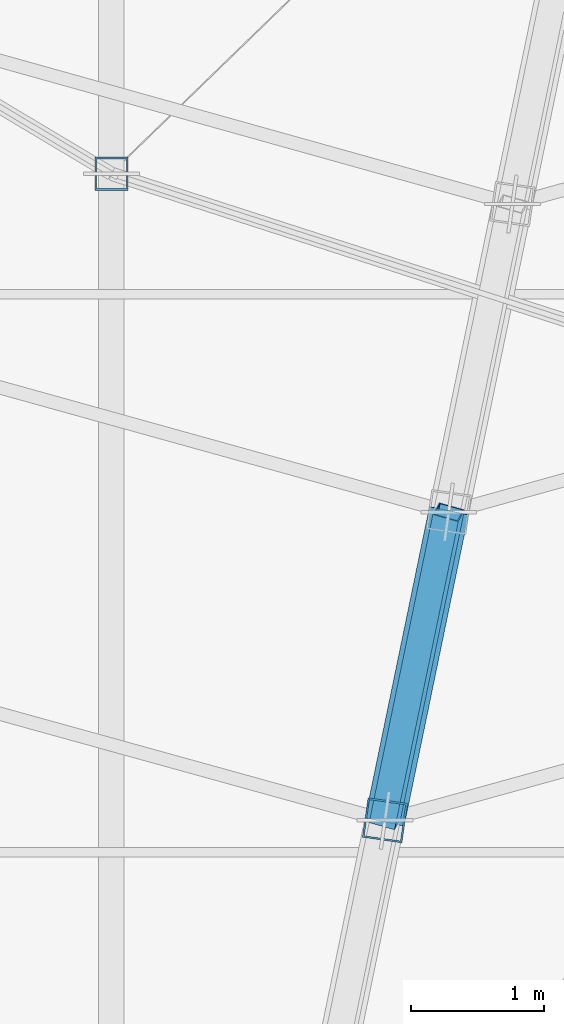
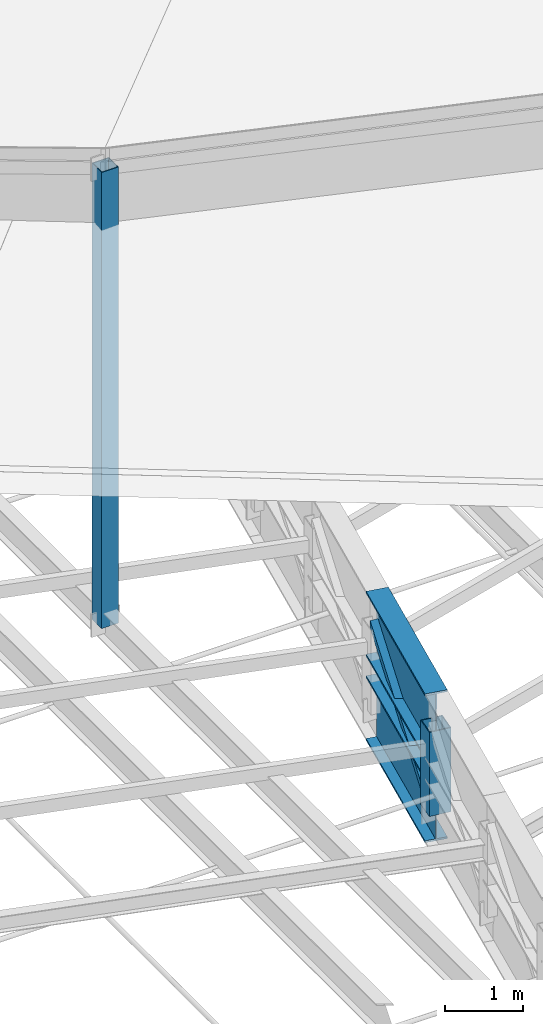
# One storey, part 44 of 184: 3 members, 2 beams.
"""IFC4 building model written with IfcOpenShell, lengths in metres."""

from ifc_helpers import new_model, si_unit, direction, frame, origin, origin_2d, place, context, subcontext, project, spatial, hollow_rectangle, i_section, extrude, material, material_profile, profile_set, type_object, element, save


model = new_model("IFC4")

# Units and contexts
model_context = context("Model", 3, precision=1e-05, world=origin(), true_north=direction((0.0, 1.0)))
body_context = subcontext(model_context, "Body", "Model", "MODEL_VIEW")
ifc_project = project(units=[si_unit("LENGTHUNIT", "METRE"), si_unit("AREAUNIT", "SQUARE_METRE"), si_unit("VOLUMEUNIT", "CUBIC_METRE"), si_unit("PLANEANGLEUNIT", "RADIAN"), si_unit("MASSUNIT", "GRAM", prefix="KILO")], contexts=[model_context])

# Site, building, storey
site_placement = place(None, origin())
site = spatial("IfcSite", under=ifc_project, at=site_placement, CompositionType="ELEMENT")
building_placement = place(site_placement, origin())
building = spatial("IfcBuilding", under=site, at=building_placement, Name="Kalgoora Escarpment Arena", CompositionType="ELEMENT")
storey_placement = place(building_placement, frame((0.0, 0.0, 27.60009765625)))
storey = spatial("IfcBuildingStorey", under=building, at=storey_placement, Name="Roof Level", CompositionType="ELEMENT", Elevation=27.60009765625)

# Beams
ifc_material_1 = material(Name="Structural steel Grade 350 (350 MPa)", Category="steel")
ifc_material_profile_1 = material_profile(ifc_material_1, i_section(OverallWidth=0.300048828125, OverallDepth=1.010009765625, WebThickness=0.01611328125, FlangeThickness=0.030029296875, at=origin_2d()))
ifc_profile_set_1 = profile_set([ifc_material_profile_1], Name="Structural steel Grade 350 (350 MPa)")
beam_type = type_object("IfcBeamType", Name="BM-TRUSS-CHORD", PredefinedType="USERDEFINED", material=ifc_profile_set_1)
for number, where, z_axis, x_axis, name in (
    (1, (93.357666015625, 39.0283203125, -1.64013671875), (0.202507307037, 0.979278408187, 0.002142394684), (-0.979280655568, 0.202507771779, 0.0), "Radial ROOF TRUSS spine 7 bottom chord 4"),
    (2, (93.357666015625, 39.0283203125, -0.330078125), (0.202506000299, 0.979272089104, 0.004182743583), (-0.979280655568, 0.202507771779, 0.0), "Radial ROOF TRUSS spine 7 top chord 4"),
):
    element("IfcBeam", number, at=place(storey_placement, frame(where, z_axis=z_axis, x_axis=x_axis)), inside=storey, type_object=beam_type, Name=name, ObjectType="GIRDER", PredefinedType="USERDEFINED", context=body_context, shape_type="SweptSolid", body=[
        extrude(i_section(OverallWidth=0.300048828125, OverallDepth=1.010009765625, WebThickness=0.01611328125, FlangeThickness=0.030029296875, at=origin_2d()), origin(), (0.0, 0.0, 1.0), 2.39306640625),
    ])

# Members
ifc_material_2 = material(Name="Structural steel C450 (450 MPa)", Category="steel")
ifc_material_profile_2 = material_profile(ifc_material_2, hollow_rectangle(XDim=0.25, YDim=0.25, WallThickness=0.012451171875, at=origin_2d()))
ifc_profile_set_2 = profile_set([ifc_material_profile_2], Name="Structural steel C450 (450 MPa)")
member_type_1 = type_object("IfcMemberType", Name="MEM-PETAL-POST", PredefinedType="POST", material=ifc_profile_set_2)
member_1_placement = place(storey_placement, frame((91.300048828125, 43.908203125, -0.960205078125), z_axis=(0.0, 0.0, 1.0), x_axis=(1.0, 0.0, 0.0)))
element("IfcMember", 3, at=member_1_placement, inside=storey, type_object=member_type_1, Name="Petal RP4 vertical support post S17", PredefinedType="POST", context=body_context, shape_type="SweptSolid", body=[
    extrude(hollow_rectangle(XDim=0.25, YDim=0.25, WallThickness=0.012451171875, at=origin_2d()), origin(), (0.0, 0.0, 1.0), 7.105224609375),
])
ifc_material_3 = material(Name="Structural steel C350 (350 MPa)", Category="steel")
ifc_material_profile_3 = material_profile(ifc_material_3, hollow_rectangle(XDim=0.199951171875, YDim=0.199951171875, WallThickness=0.009033203125, at=origin_2d()))
ifc_profile_set_3 = profile_set([ifc_material_profile_3], Name="Structural steel C350 (350 MPa)")
member_type_2 = type_object("IfcMemberType", Name="MEM-TRUSS-DIAG", PredefinedType="BRACE", material=ifc_profile_set_3)
member_2_placement = place(storey_placement, frame((93.360107421875, 39.0400390625, -1.64013671875), z_axis=(0.176975107079, 0.855439696118, 0.486726553395), x_axis=(-0.236102872587, -0.443192661135, 0.864774941053)))
element("IfcMember", 4, at=member_2_placement, inside=storey, type_object=member_type_2, Name="Radial ROOF TRUSS spine 7 web diagonal 4", PredefinedType="BRACE", context=body_context, shape_type="SweptSolid", body=[
    extrude(hollow_rectangle(XDim=0.199951171875, YDim=0.199951171875, WallThickness=0.009033203125, at=origin_2d()), origin(), (0.0, 0.0, 1.0), 2.712158203125),
])
ifc_material_4 = material(Name="Structural steel C450 (450 MPa)", Category="steel")
ifc_material_profile_4 = material_profile(ifc_material_4, hollow_rectangle(XDim=0.300048828125, YDim=0.300048828125, WallThickness=0.012451171875, at=origin_2d()))
ifc_profile_set_4 = profile_set([ifc_material_profile_4], Name="Structural steel C450 (450 MPa)")
member_type_3 = type_object("IfcMemberType", Name="MEM-TRUSS-POST", PredefinedType="POST", material=ifc_profile_set_4)
member_3_placement = place(storey_placement, frame((93.360107421875, 39.0400390625, -1.64013671875), z_axis=(0.0, 0.0, 1.0), x_axis=(0.141419587774, 0.989949746297, 0.0)))
element("IfcMember", 5, at=member_3_placement, inside=storey, type_object=member_type_3, Name="Radial ROOF TRUSS spine 7 post 3", PredefinedType="POST", context=body_context, shape_type="SweptSolid", body=[
    extrude(hollow_rectangle(XDim=0.300048828125, YDim=0.300048828125, WallThickness=0.012451171875, at=origin_2d()), origin(), (0.0, 0.0, 1.0), 1.31005859375),
])

save(model, "model.ifc")
